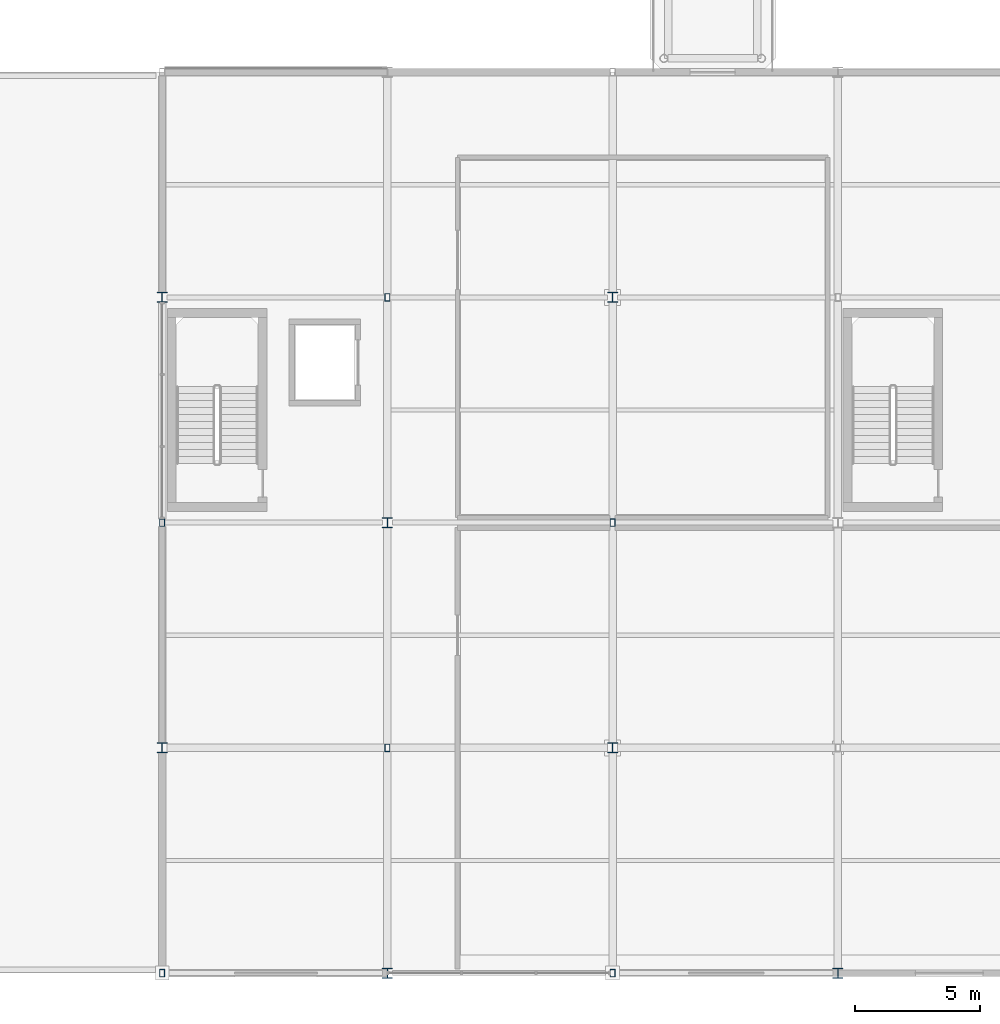
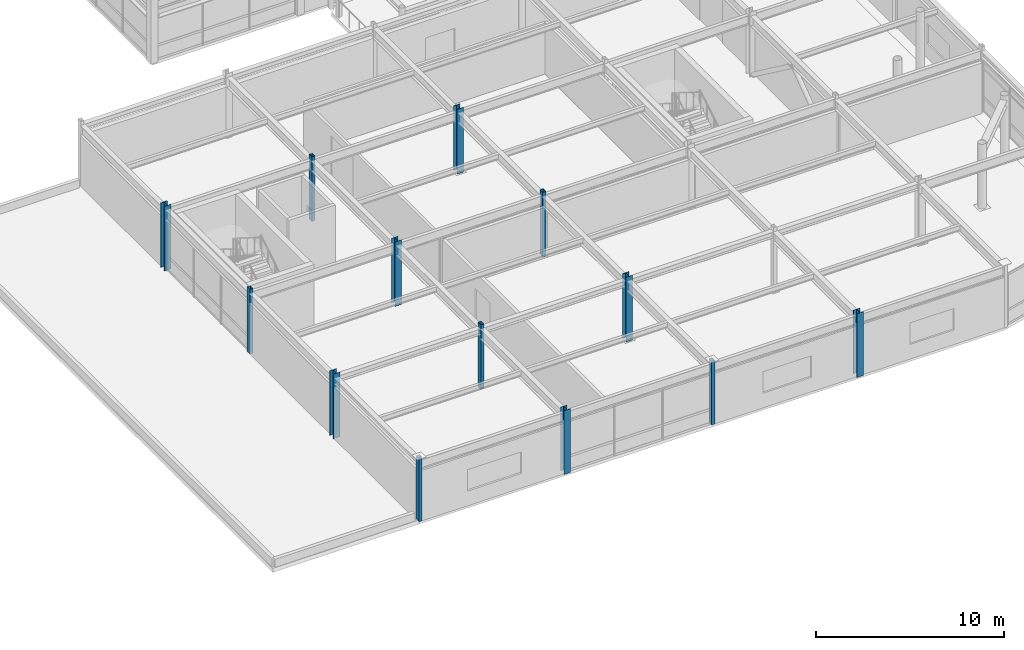
# One storey, part 16 of 105: 13 columns.
"""IFC4 building model written with IfcOpenShell, lengths in metres."""

import ifcopenshell
import ifcopenshell.guid

model = None  # the IFC model being written
_history = None  # IfcOwnerHistory: only IFC2X3 demands one
_inside = {}  # id of a spatial element -> (the spatial element, [elements in it])
_under = {}  # id of a project, library or spatial element -> (it, [spatial elements below it])
_declared = {}  # id of a project -> (the project, [libraries it declares])
_typed = {}  # id of a type object -> (the type object, [elements of that type])
_made_of = {}  # id of a material, layer set ... -> (it, [elements and type objects made of it])


def new_model(schema):
    """Start an empty IFC model of exactly this schema.

    Asked for "IFC4X3", IfcOpenShell would pick the latest addendum, in which some entities
    have other attributes; the version numbers below select the first issue.
    IFC2X3 requires an IfcOwnerHistory on every rooted entity: one is made here for all.
    """
    global model, _history
    if schema == "IFC4X3":
        model = ifcopenshell.file(schema_version=(4, 3, 0, 0))
    else:
        model = ifcopenshell.file(schema=schema)
    _inside.clear()
    _under.clear()
    _declared.clear()
    _typed.clear()
    _made_of.clear()
    _history = None
    if model.schema == "IFC2X3":
        org = make("IfcOrganization", Name="unknown")
        user = make(
            "IfcPersonAndOrganization",
            ThePerson=make("IfcPerson", FamilyName="unknown"),
            TheOrganization=org,
        )
        app = make(
            "IfcApplication",
            ApplicationDeveloper=org,
            Version="unknown",
            ApplicationFullName="unknown",
            ApplicationIdentifier="unknown",
        )
        _history = make(
            "IfcOwnerHistory",
            OwningUser=user,
            OwningApplication=app,
            ChangeAction="ADDED",
            CreationDate=0,
        )
    return model


def make(cls, **values):
    """One entity of the class cls with the attributes given. An attribute that is None is left unset."""
    return model.create_entity(
        cls, **{name: value for name, value in values.items() if value is not None}
    )


def rooted(cls, **values):
    """An entity with a GlobalId (a new one), such as an element, a storey or a relation."""
    return make(cls, GlobalId=ifcopenshell.guid.new(), OwnerHistory=_history, **values)


def si_unit(unit_type, name, prefix=None):
    """IfcSIUnit, for example si_unit("LENGTHUNIT", "METRE", prefix="MILLI")."""
    return make("IfcSIUnit", UnitType=unit_type, Prefix=prefix, Name=name)


def assignment(units):
    """IfcUnitAssignment: the units of a project."""
    return None if units is None else make("IfcUnitAssignment", Units=units)


def point(xyz):
    """IfcCartesianPoint."""
    return None if xyz is None else make("IfcCartesianPoint", Coordinates=xyz)


def direction(xyz):
    """IfcDirection."""
    return None if xyz is None else make("IfcDirection", DirectionRatios=xyz)


def frame(location, z_axis=None, x_axis=None):
    """IfcAxis2Placement3D, a coordinate frame: its origin and axes. An axis left out is left unset."""
    return make(
        "IfcAxis2Placement3D",
        Location=point(location),
        Axis=direction(z_axis),
        RefDirection=direction(x_axis),
    )


def frame_2d(location, x_axis=None):
    """IfcAxis2Placement2D, a coordinate frame in the plane: its origin and x axis."""
    return make(
        "IfcAxis2Placement2D", Location=point(location), RefDirection=direction(x_axis)
    )


def origin():
    """The frame at (0, 0, 0) with its axes left unset."""
    return frame((0.0, 0.0, 0.0))


def origin_2d():
    """The frame at (0, 0) in the plane with its x axis left unset."""
    return frame_2d((0.0, 0.0))


def place(relative_to, where):
    """IfcLocalPlacement: puts the frame where relative to a parent placement (None: the world)."""
    return make(
        "IfcLocalPlacement", PlacementRelTo=relative_to, RelativePlacement=where
    )


def context(
    kind, dimensions, precision=None, world=None, true_north=None, identifier=None
):
    """IfcGeometricRepresentationContext, for example the 3D "Model" context."""
    return make(
        "IfcGeometricRepresentationContext",
        ContextIdentifier=identifier,
        ContextType=kind,
        CoordinateSpaceDimension=dimensions,
        Precision=precision,
        WorldCoordinateSystem=world,
        TrueNorth=true_north,
    )


def subcontext(parent, identifier, kind, view, scale=None):
    """IfcGeometricRepresentationSubContext, for example "Body" below "Model"."""
    return make(
        "IfcGeometricRepresentationSubContext",
        ContextIdentifier=identifier,
        ContextType=kind,
        ParentContext=parent,
        TargetScale=scale,
        TargetView=view,
    )


def project(units=None, contexts=None):
    """IfcProject with its units and contexts."""
    return rooted(
        "IfcProject",
        Name="project",
        RepresentationContexts=contexts,
        UnitsInContext=assignment(units),
    )


def spatial(cls, under=None, at=None, **own):
    """A site, building, storey or space (cls), placed at a placement, below another one or the project."""
    s = rooted(cls, ObjectPlacement=at, **own)
    if under is not None:
        _under.setdefault(under.id(), (under, []))[1].append(s)
    return s


def profile(cls, at=None, kind="AREA", **sizes):
    """A parametric profile (cls). Its sizes go by their IFC names, for example OverallWidth=200.0."""
    return make(cls, ProfileType=kind, Position=at, **sizes)


def hollow_rectangle(**sizes):
    """IfcRectangleHollowProfileDef."""
    return profile("IfcRectangleHollowProfileDef", **sizes)


def i_section(**sizes):
    """IfcIShapeProfileDef."""
    return profile("IfcIShapeProfileDef", **sizes)


def extrude(swept, where, along, depth):
    """IfcExtrudedAreaSolid: the profile swept, set in the frame where, extruded along a direction by depth."""
    return make(
        "IfcExtrudedAreaSolid",
        SweptArea=swept,
        Position=where,
        ExtrudedDirection=direction(along),
        Depth=depth,
    )


def shape(context_of_items, identifier, shape_type, items):
    """IfcShapeRepresentation: the items that make up one representation, for example the "Body"."""
    return make(
        "IfcShapeRepresentation",
        ContextOfItems=context_of_items,
        RepresentationIdentifier=identifier,
        RepresentationType=shape_type,
        Items=items,
    )


def material(Name=None, Category=None):
    """IfcMaterial."""
    return make("IfcMaterial", Name=Name, Category=Category)


def material_profile(
    of_material, cross_section, Name=None, Category=None, Priority=None
):
    """IfcMaterialProfile: a cross section and its material."""
    return make(
        "IfcMaterialProfile",
        Name=Name,
        Material=of_material,
        Profile=cross_section,
        Priority=Priority,
        Category=Category,
    )


def profile_set(profiles, Name=None, composite=None):
    """IfcMaterialProfileSet."""
    return make(
        "IfcMaterialProfileSet",
        Name=Name,
        MaterialProfiles=profiles,
        CompositeProfile=composite,
    )


def made_of(thing, what):
    """Note that an element or type object is made of a material, layer set ...; save() writes the relation."""
    if what is not None:
        _made_of.setdefault(what.id(), (what, []))[1].append(thing)
    return thing


def type_object(cls, material=None, **own):
    """A type object (cls), such as IfcWallType, which elements share."""
    return made_of(rooted(cls, **own), material)


def element(
    cls,
    number,
    at=None,
    inside=None,
    cuts=None,
    type_object=None,
    material=None,
    context=None,
    identifier="Body",
    shape_type=None,
    held_by="IfcProductDefinitionShape",
    body=None,
    shapes=None,
    **own,
):
    """One element of the class cls, such as IfcWall. Its Tag is "e" and its number.

    at: its placement. inside: the storey or other place that contains it. cuts: it is an
    opening in that element (IfcRelVoidsElement). A single representation is given by context,
    identifier, shape_type and body (its items); several are given by shapes. held_by: the class
    of the entity that holds the representations. save() writes the other relations.
    """
    e = rooted(cls, Tag="e%d" % number, ObjectPlacement=at, **own)
    if body is not None:
        shapes = [shape(context, identifier, shape_type, body)]
    if shapes is not None:
        e.Representation = make(held_by, Representations=shapes)
    if inside is not None:
        _inside.setdefault(inside.id(), (inside, []))[1].append(e)
    if cuts is not None:
        rooted(
            "IfcRelVoidsElement", RelatingBuildingElement=cuts, RelatedOpeningElement=e
        )
    if type_object is not None:
        _typed.setdefault(type_object.id(), (type_object, []))[1].append(e)
    return made_of(e, material)


def aggregate(whole, parts):
    """IfcRelAggregates: a whole, such as a stair, and the parts it consists of."""
    return rooted("IfcRelAggregates", RelatingObject=whole, RelatedObjects=parts)


def save(model, path):
    """Write the relations noted so far, then the file.

    IfcRelAggregates (storeys below a building ...), IfcRelContainedInSpatialStructure (elements
    in a storey), IfcRelDefinesByType, IfcRelAssociatesMaterial and IfcRelDeclares: one each for
    every whole, place, type object, material and project.
    """
    for whole, parts in _under.values():
        aggregate(whole, parts)
    for where, things in _inside.values():
        rooted(
            "IfcRelContainedInSpatialStructure",
            RelatedElements=things,
            RelatingStructure=where,
        )
    for kind, things in _typed.values():
        rooted("IfcRelDefinesByType", RelatedObjects=things, RelatingType=kind)
    for what, things in _made_of.values():
        rooted("IfcRelAssociatesMaterial", RelatedObjects=things, RelatingMaterial=what)
    for by, libraries in _declared.values():
        rooted("IfcRelDeclares", RelatingContext=by, RelatedDefinitions=libraries)
    model.write(path)


model = new_model("IFC4")

# Units and contexts
model_context = context("Model", 3, precision=1e-05, world=origin(), true_north=direction((0.0, 1.0)))
body_context = subcontext(model_context, "Body", "Model", "MODEL_VIEW")
ifc_project = project(units=[si_unit("LENGTHUNIT", "METRE"), si_unit("AREAUNIT", "SQUARE_METRE"), si_unit("VOLUMEUNIT", "CUBIC_METRE"), si_unit("PLANEANGLEUNIT", "RADIAN"), si_unit("MASSUNIT", "GRAM", prefix="KILO")], contexts=[model_context])

# Site, building, storey
site_placement = place(None, origin())
site = spatial("IfcSite", under=ifc_project, at=site_placement, CompositionType="ELEMENT")
building_placement = place(site_placement, origin())
building = spatial("IfcBuilding", under=site, at=building_placement, Name="Suzunagisa Mobility Hub", CompositionType="ELEMENT")
storey_placement = place(building_placement, frame((0.0, 0.0, 5.10009765625)))
storey = spatial("IfcBuildingStorey", under=building, at=storey_placement, Name="L01", CompositionType="ELEMENT", Elevation=5.10009765625)

# Columns
ifc_material = material(Name="Steel SN490B", Category="steel")
ifc_material_profile_1 = material_profile(ifc_material, i_section(OverallWidth=0.39990234375, OverallDepth=0.39990234375, WebThickness=0.012939453125, FlangeThickness=0.02099609375, FilletRadius=0.01611328125, at=origin_2d()), Name="H-400x400x13x21")
ifc_profile_set_1 = profile_set([ifc_material_profile_1], Name="Steel SN490B")
column_type_1 = type_object("IfcColumnType", Name="Steel Column CL-10 H-400x400x13x21", PredefinedType="COLUMN", material=ifc_profile_set_1)
for number, where, z_axis, x_axis, name in (
    (1, (135.0, 9.0, 0.0), (0.0, 0.0, 1.0), (1.0, 0.0, 0.0), "L01 Column 243"),
    (2, (135.0, 27.0, 0.0), (0.0, 0.0, 1.0), (1.0, 0.0, 0.0), "L01 Column 245"),
):
    element("IfcColumn", number, at=place(storey_placement, frame(where, z_axis=z_axis, x_axis=x_axis)), inside=storey, type_object=column_type_1, Name=name, PredefinedType="COLUMN", context=body_context, shape_type="SweptSolid", body=[
        extrude(i_section(OverallWidth=0.39990234375, OverallDepth=0.39990234375, WebThickness=0.012939453125, FlangeThickness=0.02099609375, FilletRadius=0.01611328125, at=origin_2d()), origin(), (0.0, 0.0, 1.0), 4.199951171875),
    ])
column_1_placement = place(storey_placement, frame((144.0, 0.0, 0.0), z_axis=(0.0, 0.0, 1.0), x_axis=(1.0, 0.0, 0.0)))
element("IfcColumn", 3, at=column_1_placement, inside=storey, type_object=column_type_1, Name="L01 Column 251", PredefinedType="COLUMN", context=body_context, shape_type="SweptSolid", body=[
    extrude(i_section(OverallWidth=0.39990234375, OverallDepth=0.39990234375, WebThickness=0.012939453125, FlangeThickness=0.02099609375, FilletRadius=0.01611328125, at=origin_2d()), origin(), (0.0, 0.0, 1.0), 4.139892578125),
])
for number, where, z_axis, x_axis, name in (
    (4, (144.0, 18.0, 0.0), (0.0, 0.0, 1.0), (1.0, 0.0, 0.0), "L01 Column 253"),
    (5, (153.0, 9.0, 0.0), (0.0, 0.0, 1.0), (1.0, 0.0, 0.0), "L01 Column 265"),
    (6, (153.0, 27.0, 0.0), (0.0, 0.0, 1.0), (1.0, 0.0, 0.0), "L01 Column 267"),
):
    element("IfcColumn", number, at=place(storey_placement, frame(where, z_axis=z_axis, x_axis=x_axis)), inside=storey, type_object=column_type_1, Name=name, PredefinedType="COLUMN", context=body_context, shape_type="SweptSolid", body=[
        extrude(i_section(OverallWidth=0.39990234375, OverallDepth=0.39990234375, WebThickness=0.012939453125, FlangeThickness=0.02099609375, FilletRadius=0.01611328125, at=origin_2d()), origin(), (0.0, 0.0, 1.0), 4.199951171875),
    ])
column_2_placement = place(storey_placement, frame((162.0, 0.0, 0.0), z_axis=(0.0, 0.0, 1.0), x_axis=(1.0, 0.0, 0.0)))
element("IfcColumn", 7, at=column_2_placement, inside=storey, type_object=column_type_1, Name="L01 Column 283", PredefinedType="COLUMN", context=body_context, shape_type="SweptSolid", body=[
    extrude(i_section(OverallWidth=0.39990234375, OverallDepth=0.39990234375, WebThickness=0.012939453125, FlangeThickness=0.02099609375, FilletRadius=0.01611328125, at=origin_2d()), origin(), (0.0, 0.0, 1.0), 4.139892578125),
])
ifc_material_profile_2 = material_profile(ifc_material, hollow_rectangle(XDim=0.199951171875, YDim=0.300048828125, WallThickness=0.011962890625, at=origin_2d()), Name="RHS-300x200x12")
ifc_profile_set_2 = profile_set([ifc_material_profile_2], Name="Steel SN490B")
column_type_2 = type_object("IfcColumnType", Name="Steel Column CL-15 RHS-300x200x12", PredefinedType="COLUMN", material=ifc_profile_set_2)
column_3_placement = place(storey_placement, frame((135.0, 0.0, 0.0), z_axis=(0.0, 0.0, 1.0), x_axis=(1.0, 0.0, 0.0)))
element("IfcColumn", 8, at=column_3_placement, inside=storey, type_object=column_type_2, Name="L01 Column 242", PredefinedType="COLUMN", context=body_context, shape_type="SweptSolid", body=[
    extrude(hollow_rectangle(XDim=0.199951171875, YDim=0.300048828125, WallThickness=0.011962890625, at=origin_2d()), origin(), (0.0, 0.0, 1.0), 4.139892578125),
])
for number, where, z_axis, x_axis, name in (
    (9, (135.0, 18.0, 0.0), (0.0, 0.0, 1.0), (1.0, 0.0, 0.0), "L01 Column 244"),
    (10, (144.0, 9.0, 0.0), (0.0, 0.0, 1.0), (1.0, 0.0, 0.0), "L01 Column 252"),
    (11, (144.0, 27.0, 0.0), (0.0, 0.0, 1.0), (1.0, 0.0, 0.0), "L01 Column 254"),
):
    element("IfcColumn", number, at=place(storey_placement, frame(where, z_axis=z_axis, x_axis=x_axis)), inside=storey, type_object=column_type_2, Name=name, PredefinedType="COLUMN", context=body_context, shape_type="SweptSolid", body=[
        extrude(hollow_rectangle(XDim=0.199951171875, YDim=0.300048828125, WallThickness=0.011962890625, at=origin_2d()), origin(), (0.0, 0.0, 1.0), 4.199951171875),
    ])
column_4_placement = place(storey_placement, frame((153.0, 0.0, 0.0), z_axis=(0.0, 0.0, 1.0), x_axis=(1.0, 0.0, 0.0)))
element("IfcColumn", 12, at=column_4_placement, inside=storey, type_object=column_type_2, Name="L01 Column 264", PredefinedType="COLUMN", context=body_context, shape_type="SweptSolid", body=[
    extrude(hollow_rectangle(XDim=0.199951171875, YDim=0.300048828125, WallThickness=0.011962890625, at=origin_2d()), origin(), (0.0, 0.0, 1.0), 4.139892578125),
])
column_5_placement = place(storey_placement, frame((153.0, 18.0, 0.0), z_axis=(0.0, 0.0, 1.0), x_axis=(1.0, 0.0, 0.0)))
element("IfcColumn", 13, at=column_5_placement, inside=storey, type_object=column_type_2, Name="L01 Column 266", PredefinedType="COLUMN", context=body_context, shape_type="SweptSolid", body=[
    extrude(hollow_rectangle(XDim=0.199951171875, YDim=0.300048828125, WallThickness=0.011962890625, at=origin_2d()), origin(), (0.0, 0.0, 1.0), 4.199951171875),
])

save(model, "model.ifc")
